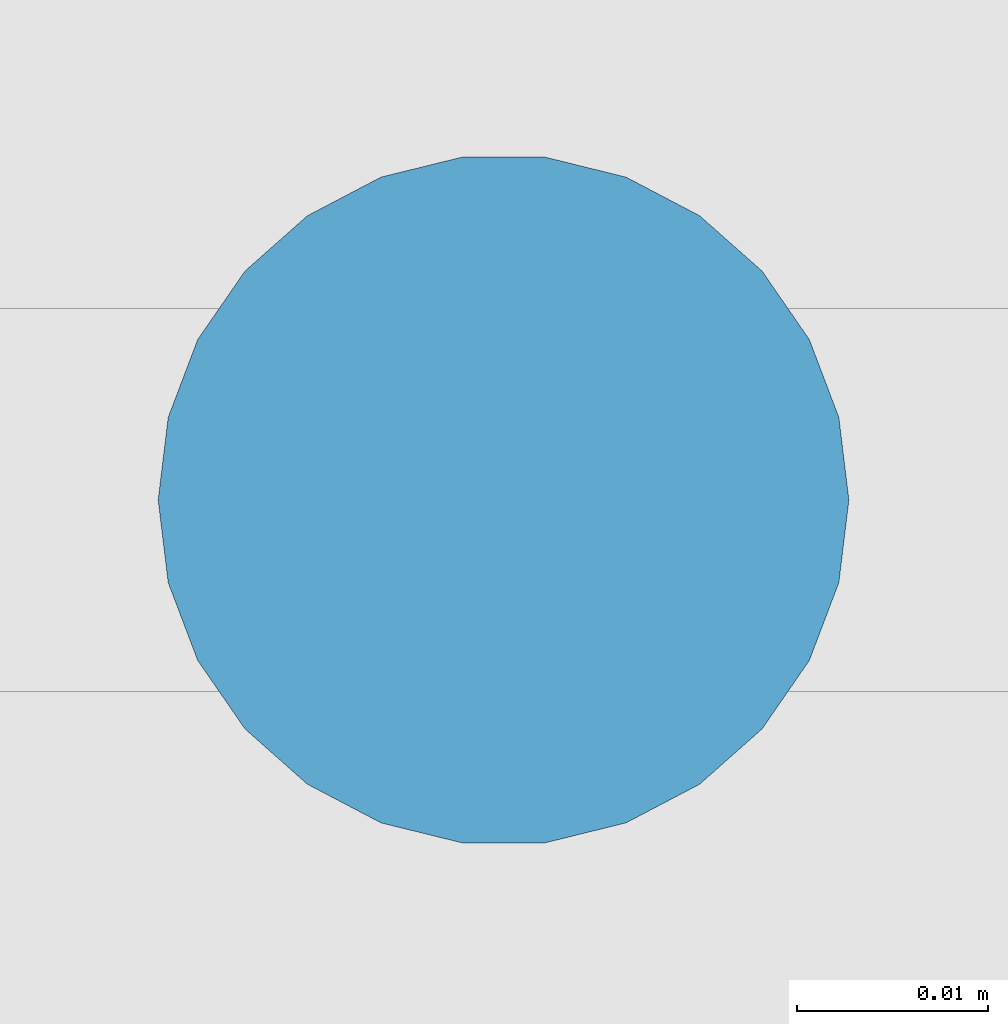
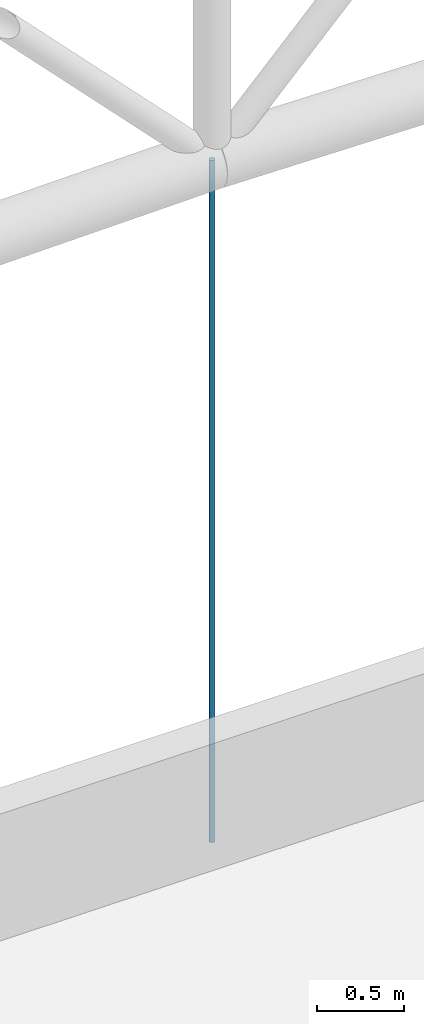
# One storey, part 23 of 321: 1 member.
"""IFC4 building model written with IfcOpenShell, lengths in metres."""

from ifc_helpers import new_model, si_unit, direction, frame, origin, origin_2d, place, context, subcontext, project, spatial, circle, extrude, material, material_profile, profile_set, type_object, element, save


model = new_model("IFC4")

# Units and contexts
model_context = context("Model", 3, precision=1e-05, world=origin(), true_north=direction((0.0, 1.0)))
body_context = subcontext(model_context, "Body", "Model", "MODEL_VIEW")
ifc_project = project(units=[si_unit("LENGTHUNIT", "METRE"), si_unit("AREAUNIT", "SQUARE_METRE"), si_unit("VOLUMEUNIT", "CUBIC_METRE"), si_unit("PLANEANGLEUNIT", "RADIAN"), si_unit("MASSUNIT", "GRAM", prefix="KILO")], contexts=[model_context])

# Site, building, storey
site_placement = place(None, origin())
site = spatial("IfcSite", under=ifc_project, at=site_placement, CompositionType="ELEMENT")
building_placement = place(site_placement, origin())
building = spatial("IfcBuilding", under=site, at=building_placement, Name="Ravi Spectrum Wholesale Market", CompositionType="ELEMENT")
storey_placement = place(building_placement, frame((0.0, 0.0, 10.800048828125)))
storey = spatial("IfcBuildingStorey", under=building, at=storey_placement, Name="L02", CompositionType="ELEMENT", Elevation=10.800048828125)

# Member
ifc_material = material(Name="Steel S355", Category="steel")
ifc_material_profile = material_profile(ifc_material, circle(Radius=0.01806640625, at=origin_2d()))
ifc_profile_set = profile_set([ifc_material_profile], Name="Steel S355")
member_type = type_object("IfcMemberType", Name="ROD 36 hanger", PredefinedType="STRUT", material=ifc_profile_set)
member_placement = place(storey_placement, frame((70.0, 30.0, 0.0), z_axis=(0.0, 0.0, 1.0), x_axis=(1.0, 0.0, 0.0)))
element("IfcMember", 1, at=member_placement, inside=storey, type_object=member_type, Name="H1-MB-L02-097", PredefinedType="STRUT", context=body_context, shape_type="SweptSolid", body=[
    extrude(circle(Radius=0.01806640625, at=origin_2d()), origin(), (0.0, 0.0, 1.0), 4.800048828125),
])

save(model, "model.ifc")
